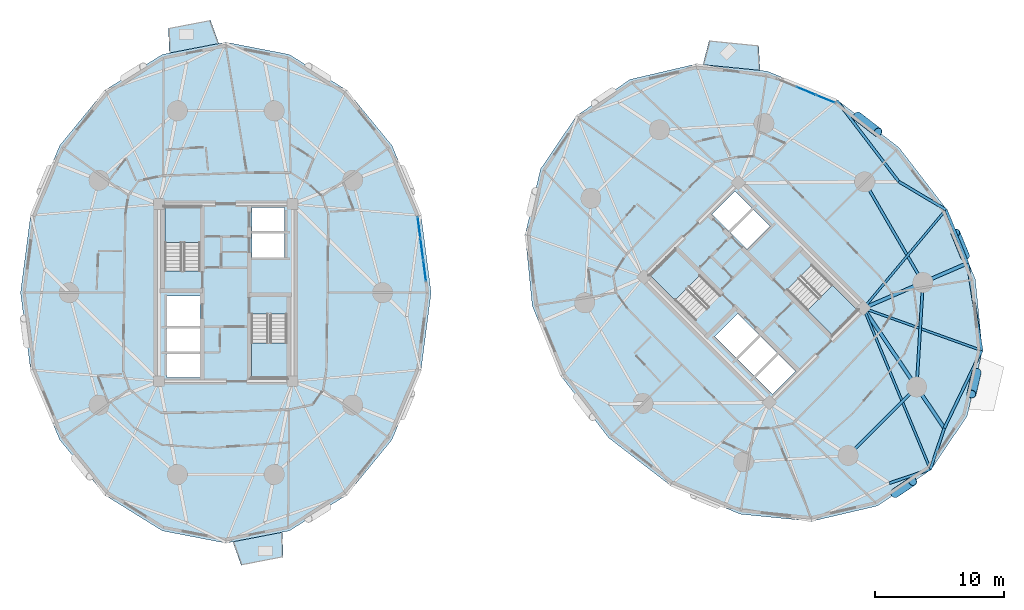
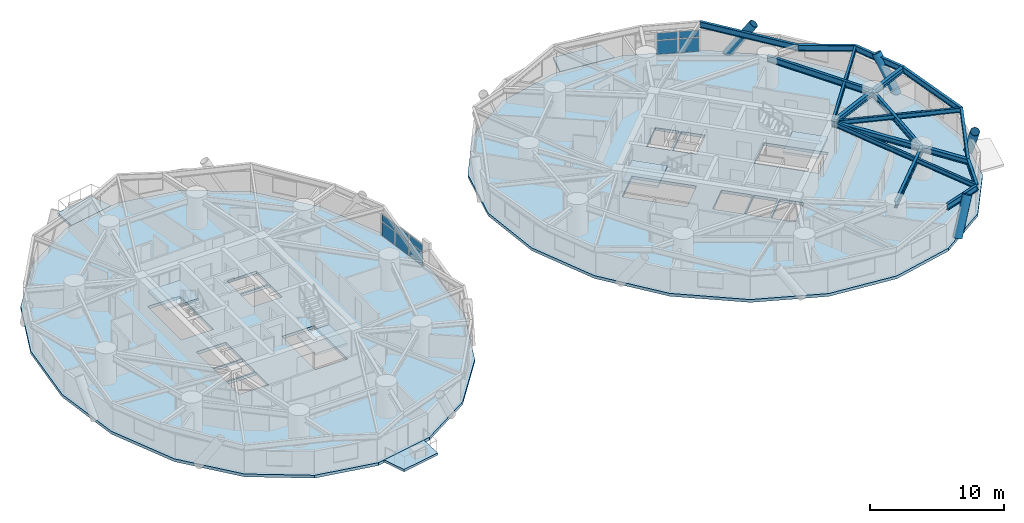
# One storey, part 7 of 18: 15 beams, 10 plates, 9 slabs, 4 members, 6 elements without a shape of their own.
"""IFC4 building model written with IfcOpenShell, lengths in metres."""

from ifc_helpers import new_model, si_unit, direction, frame, origin, origin_2d, place, context, subcontext, project, spatial, polyline, rectangle, hollow_circle, i_section, outline, extrude, source, transform, mapped, material, layer, layer_set, material_profile, profile_set, type_object, element, aggregate, save


model = new_model("IFC4")

# Units and contexts
model_context = context("Model", 3, precision=1e-05, world=origin(), true_north=direction((0.0, 1.0)))
body_context = subcontext(model_context, "Body", "Model", "MODEL_VIEW")
ifc_project = project(units=[si_unit("LENGTHUNIT", "METRE"), si_unit("AREAUNIT", "SQUARE_METRE"), si_unit("VOLUMEUNIT", "CUBIC_METRE"), si_unit("PLANEANGLEUNIT", "RADIAN"), si_unit("MASSUNIT", "GRAM", prefix="KILO")], contexts=[model_context])

# Site, building, storey
site_placement = place(None, origin())
site = spatial("IfcSite", under=ifc_project, at=site_placement, CompositionType="ELEMENT")
building_placement = place(site_placement, origin())
building = spatial("IfcBuilding", under=site, at=building_placement, Name="Cununo Teusaquillo Station Towers", CompositionType="ELEMENT")
storey_placement = place(building_placement, frame((0.0, 0.0, 51.10009765625)))
storey = spatial("IfcBuildingStorey", under=building, at=storey_placement, Name="L15", CompositionType="ELEMENT", Elevation=51.10009765625)

# Beams
ifc_material_1 = material(Name="Steel ASTM A572 Grade 50", Category="steel")
ifc_material_profile_1 = material_profile(ifc_material_1, i_section(OverallWidth=0.180908203125, OverallDepth=0.4169921875, WebThickness=0.010986328125, FlangeThickness=0.018310546875, FilletRadius=0.012939453125, at=origin_2d()), Name="W16X57")
ifc_profile_set_1 = profile_set([ifc_material_profile_1], Name="Steel ASTM A572 Grade 50")
beam_type_1 = type_object("IfcBeamType", Name="BM-JOIST-1", PredefinedType="JOIST", material=ifc_profile_set_1)
beam_1_placement = place(storey_placement, frame((66.024169921875, 23.29443359375, 2.44140625), z_axis=(0.383107724927, -0.923703670612, 0.0), x_axis=(0.923703670612, 0.383107724927, 0.0)))
element("IfcBeam", 1, at=beam_1_placement, inside=storey, type_object=beam_type_1, Name="L15 Tower B Radial Spandrel Joist V15", PredefinedType="JOIST", context=body_context, shape_type="SweptSolid", body=[
    extrude(i_section(OverallWidth=0.180908203125, OverallDepth=0.4169921875, WebThickness=0.010986328125, FlangeThickness=0.018310546875, FilletRadius=0.012939453125, at=origin_2d()), origin(), (0.0, 0.0, 1.0), 13.5380859375),
])
beam_2_placement = place(storey_placement, frame((66.024169921875, 23.29443359375, 2.44140625), z_axis=(0.941404588136, -0.337279411522, 0.0), x_axis=(0.337279411522, 0.941404588136, 0.0)))
element("IfcBeam", 2, at=beam_2_placement, inside=storey, type_object=beam_type_1, Name="L15 Tower B Radial Spandrel Joist V17", PredefinedType="JOIST", context=body_context, shape_type="SweptSolid", body=[
    extrude(i_section(OverallWidth=0.180908203125, OverallDepth=0.4169921875, WebThickness=0.010986328125, FlangeThickness=0.018310546875, FilletRadius=0.012939453125, at=origin_2d()), origin(), (0.0, 0.0, 1.0), 9.740234375),
])
beam_3_placement = place(storey_placement, frame((66.024169921875, 23.29443359375, 2.44140625), z_axis=(0.641315728701, 0.767277092139, 0.0), x_axis=(-0.767277092139, 0.641315728701, 0.0)))
element("IfcBeam", 3, at=beam_3_placement, inside=storey, type_object=beam_type_1, Name="L15 Tower B Radial Spandrel Joist V19", PredefinedType="JOIST", context=body_context, shape_type="SweptSolid", body=[
    extrude(i_section(OverallWidth=0.180908203125, OverallDepth=0.4169921875, WebThickness=0.010986328125, FlangeThickness=0.018310546875, FilletRadius=0.012939453125, at=origin_2d()), origin(), (0.0, 0.0, 1.0), 9.97021484375),
])
ifc_material_2 = material(Name="Steel ASTM A572 Grade 50", Category="steel")
ifc_material_profile_2 = material_profile(ifc_material_2, i_section(OverallWidth=0.280029296875, OverallDepth=0.462890625, WebThickness=0.0107421875, FlangeThickness=0.017333984375, FilletRadius=0.013916015625, at=origin_2d()), Name="W18X76")
ifc_profile_set_2 = profile_set([ifc_material_profile_2], Name="Steel ASTM A572 Grade 50")
beam_type_2 = type_object("IfcBeamType", Name="BM-RAD-G1", PredefinedType="BEAM", material=ifc_profile_set_2)
beam_4_placement = place(storey_placement, frame((66.024169921875, 23.29443359375, 2.41845703125), z_axis=(0.558572297481, -0.82945583878, 0.0), x_axis=(0.82945583878, 0.558572297481, 0.0)))
element("IfcBeam", 4, at=beam_4_placement, inside=storey, type_object=beam_type_2, Name="L15 Tower B Continuous Overhanging Radial Girder 09", PredefinedType="BEAM", context=body_context, shape_type="SweptSolid", body=[
    extrude(i_section(OverallWidth=0.280029296875, OverallDepth=0.462890625, WebThickness=0.0107421875, FlangeThickness=0.017333984375, FilletRadius=0.013916015625, at=origin_2d()), origin(), (0.0, 0.0, 1.0), 11.22998046875),
])
beam_5_placement = place(storey_placement, frame((66.024169921875, 23.29443359375, 2.41845703125), z_axis=(0.917660203996, 0.397366015157, 0.0), x_axis=(-0.397366015157, 0.917660203996, 0.0)))
element("IfcBeam", 5, at=beam_5_placement, inside=storey, type_object=beam_type_2, Name="L15 Tower B Continuous Overhanging Radial Girder 10", PredefinedType="BEAM", context=body_context, shape_type="SweptSolid", body=[
    extrude(i_section(OverallWidth=0.280029296875, OverallDepth=0.462890625, WebThickness=0.0107421875, FlangeThickness=0.017333984375, FilletRadius=0.013916015625, at=origin_2d()), origin(), (0.0, 0.0, 1.0), 8.798095703125),
])
ifc_material_3 = material(Name="Steel ASTM A572 Grade 50", Category="steel")
ifc_material_profile_3 = material_profile(ifc_material_3, i_section(OverallWidth=0.214111328125, OverallDepth=0.549072265625, WebThickness=0.0146484375, FlangeThickness=0.023681640625, FilletRadius=0.014892578125, at=origin_2d()), Name="W21X93")
ifc_profile_set_3 = profile_set([ifc_material_profile_3], Name="Steel ASTM A572 Grade 50")
beam_type_3 = type_object("IfcBeamType", Name="BM-RING-Z1", PredefinedType="SPANDREL", material=ifc_profile_set_3)
beam_6_placement = place(storey_placement, frame((64.826904296875, 11.853759765625, 2.37548828125), z_axis=(0.707106781187, 0.707106781187, 0.0), x_axis=(-0.707106781187, 0.707106781187, 0.0)))
element("IfcBeam", 6, at=beam_6_placement, inside=storey, type_object=beam_type_3, Name="L15 Tower B Structural Column Ring Girder 08", PredefinedType="SPANDREL", context=body_context, shape_type="SweptSolid", body=[
    extrude(i_section(OverallWidth=0.214111328125, OverallDepth=0.549072265625, WebThickness=0.0146484375, FlangeThickness=0.023681640625, FilletRadius=0.014892578125, at=origin_2d()), origin(), (0.0, 0.0, 1.0), 7.522705078125),
])
beam_7_placement = place(storey_placement, frame((70.146240234375, 17.173095703125, 2.37548828125), z_axis=(0.06012979176, 0.998190567048, 0.0), x_axis=(-0.998190567048, 0.06012979176, 0.0)))
element("IfcBeam", 7, at=beam_7_placement, inside=storey, type_object=beam_type_3, Name="L15 Tower B Structural Column Ring Girder 09", PredefinedType="SPANDREL", context=body_context, shape_type="SweptSolid", body=[
    extrude(i_section(OverallWidth=0.214111328125, OverallDepth=0.549072265625, WebThickness=0.0146484375, FlangeThickness=0.023681640625, FilletRadius=0.014892578125, at=origin_2d()), origin(), (0.0, 0.0, 1.0), 8.132568359375),
])
beam_8_placement = place(storey_placement, frame((70.63525390625, 25.291015625, 2.37548828125), z_axis=(-0.501311121078, 0.865267103202, 0.0), x_axis=(-0.865267103202, -0.501311121078, 0.0)))
element("IfcBeam", 8, at=beam_8_placement, inside=storey, type_object=beam_type_3, Name="L15 Tower B Structural Column Ring Girder 10", PredefinedType="SPANDREL", context=body_context, shape_type="SweptSolid", body=[
    extrude(i_section(OverallWidth=0.214111328125, OverallDepth=0.549072265625, WebThickness=0.0146484375, FlangeThickness=0.023681640625, FilletRadius=0.014892578125, at=origin_2d()), origin(), (0.0, 0.0, 1.0), 9.032958984375),
])
beam_9_placement = place(storey_placement, frame((68.7529296875, 33.12939453125, 2.37548828125), z_axis=(-0.607410042696, 0.794388469222, 0.0), x_axis=(-0.794388469222, -0.607410042696, 0.0)))
element("IfcBeam", 9, at=beam_9_placement, inside=storey, type_object=beam_type_3, Name="L15 Tower B Spandrel Ring Beam 01", PredefinedType="SPANDREL", context=body_context, shape_type="SweptSolid", body=[
    extrude(i_section(OverallWidth=0.214111328125, OverallDepth=0.549072265625, WebThickness=0.0146484375, FlangeThickness=0.023681640625, FilletRadius=0.014892578125, at=origin_2d()), origin(), (0.0, 0.0, 1.0), 7.91650390625),
])
for number, where, z_axis, x_axis, name in (
    (10, (68.020263671875, 9.703125, 2.37548828125), (0.946642852865, 0.322284515794, 0.0), (-0.322284515794, 0.946642852865, 0.0), "L15 Tower B Spandrel Ring Beam 15"),
    (11, (71.210693359375, 10.789306640625, 2.37548828125), (0.322284515794, 0.946642852865, 0.0), (-0.946642852865, 0.322284515794, 0.0), "L15 Tower B Spandrel Ring Beam 16"),
):
    element("IfcBeam", number, at=place(storey_placement, frame(where, z_axis=z_axis, x_axis=x_axis)), inside=storey, type_object=beam_type_3, Name=name, PredefinedType="SPANDREL", context=body_context, shape_type="SweptSolid", body=[
        extrude(i_section(OverallWidth=0.214111328125, OverallDepth=0.549072265625, WebThickness=0.0146484375, FlangeThickness=0.023681640625, FilletRadius=0.014892578125, at=origin_2d()), origin(), (0.0, 0.0, 1.0), 3.370361328125),
    ])
beam_10_placement = place(storey_placement, frame((72.296875, 13.979736328125, 2.37548828125), z_axis=(0.433040723491, 0.901374357189, 0.0), x_axis=(-0.901374357189, 0.433040723491, 0.0)))
element("IfcBeam", 12, at=beam_10_placement, inside=storey, type_object=beam_type_3, Name="L15 Tower B Spandrel Ring Beam 17", PredefinedType="SPANDREL", context=body_context, shape_type="SweptSolid", body=[
    extrude(i_section(OverallWidth=0.214111328125, OverallDepth=0.549072265625, WebThickness=0.0146484375, FlangeThickness=0.023681640625, FilletRadius=0.014892578125, at=origin_2d()), origin(), (0.0, 0.0, 1.0), 6.689208984375),
])
beam_11_placement = place(storey_placement, frame((75.193603515625, 20.00927734375, 2.37548828125), z_axis=(-0.15950955411, 0.987196384793, 0.0), x_axis=(-0.987196384793, -0.15950955411, 0.0)))
element("IfcBeam", 13, at=beam_11_placement, inside=storey, type_object=beam_type_3, Name="L15 Tower B Spandrel Ring Beam 18", PredefinedType="SPANDREL", context=body_context, shape_type="SweptSolid", body=[
    extrude(i_section(OverallWidth=0.214111328125, OverallDepth=0.549072265625, WebThickness=0.0146484375, FlangeThickness=0.023681640625, FilletRadius=0.014892578125, at=origin_2d()), origin(), (0.0, 0.0, 1.0), 6.869140625),
])
beam_12_placement = place(storey_placement, frame((74.097900390625, 26.79052734375, 2.37548828125), z_axis=(-0.374882843411, 0.927072194447, 0.0), x_axis=(-0.927072194447, -0.374882843411, 0.0)))
element("IfcBeam", 14, at=beam_12_placement, inside=storey, type_object=beam_type_3, Name="L15 Tower B Spandrel Ring Beam 19", PredefinedType="SPANDREL", context=body_context, shape_type="SweptSolid", body=[
    extrude(i_section(OverallWidth=0.214111328125, OverallDepth=0.549072265625, WebThickness=0.0146484375, FlangeThickness=0.023681640625, FilletRadius=0.014892578125, at=origin_2d()), origin(), (0.0, 0.0, 1.0), 4.48046875),
])
beam_13_placement = place(storey_placement, frame((72.418212890625, 30.9443359375, 2.37548828125), z_axis=(-0.858948426011, 0.512062107027, 0.0), x_axis=(-0.512062107027, -0.858948426011, 0.0)))
element("IfcBeam", 15, at=beam_13_placement, inside=storey, type_object=beam_type_3, Name="L15 Tower B Spandrel Ring Beam 20", PredefinedType="SPANDREL", context=body_context, shape_type="SweptSolid", body=[
    extrude(i_section(OverallWidth=0.214111328125, OverallDepth=0.549072265625, WebThickness=0.0146484375, FlangeThickness=0.023681640625, FilletRadius=0.014892578125, at=origin_2d()), origin(), (0.0, 0.0, 1.0), 4.26708984375),
])

# Members
ifc_material_4 = material(Name="Steel EN 10025-2 S355J2", Category="steel")
ifc_material_profile_4 = material_profile(ifc_material_4, hollow_circle(Radius=0.360107421875, WallThickness=0.028076171875, at=origin_2d()), Name="CHS 720x28")
ifc_profile_set_4 = profile_set([ifc_material_profile_4], Name="Steel EN 10025-2 S355J2")
member_type = type_object("IfcMemberType", Name="MBR-DIAG-Z1", PredefinedType="BRACE", material=ifc_profile_set_4)
member_1_placement = place(storey_placement, frame((65.539794921875, 38.189208984375, -0.14013671875), z_axis=(0.450858430672, -0.347318267814, 0.822250993514), x_axis=(0.610267072118, 0.792195746447, 0.0)))
element("IfcMember", 16, at=member_1_placement, inside=storey, type_object=member_type, Name="L15 Tower B Folded-Zigzag Diagrid Tube C00", PredefinedType="BRACE", context=body_context, shape_type="SweptSolid", body=[
    extrude(hollow_circle(Radius=0.360107421875, WallThickness=0.028076171875, at=origin_2d()), origin(), (0.0, 0.0, 1.0), 3.539306640625),
])
member_2_placement = place(storey_placement, frame((68.44970703125, 8.9228515625, -0.14013671875), z_axis=(0.411696908958, 0.278250324675, 0.867803210395), x_axis=(-0.559963432154, 0.828517323084, 0.0)))
element("IfcMember", 17, at=member_2_placement, inside=storey, type_object=member_type, Name="L15 Tower B Folded-Zigzag Diagrid Tube C14", PredefinedType="BRACE", context=body_context, shape_type="SweptSolid", body=[
    extrude(hollow_circle(Radius=0.360107421875, WallThickness=0.028076171875, at=origin_2d()), origin(), (0.0, 0.0, 1.0), 3.353515625),
])
member_3_placement = place(storey_placement, frame((74.79931640625, 18.31640625, -0.14013671875), z_axis=(-0.116389119441, -0.499407273641, 0.858513801817), x_axis=(0.97390126413, -0.226972085785, 0.0)))
element("IfcMember", 18, at=member_3_placement, inside=storey, type_object=member_type, Name="L15 Tower B Folded-Zigzag Diagrid Tube C16", PredefinedType="BRACE", context=body_context, shape_type="SweptSolid", body=[
    extrude(hollow_circle(Radius=0.360107421875, WallThickness=0.028076171875, at=origin_2d()), origin(), (0.0, 0.0, 1.0), 3.3896484375),
])
member_4_placement = place(storey_placement, frame((73.90283203125, 27.332763671875, -0.14013671875), z_axis=(-0.211850960521, 0.515311264378, 0.830405606515), x_axis=(-0.924890293694, -0.380234065584, 0.0)))
element("IfcMember", 19, at=member_4_placement, inside=storey, type_object=member_type, Name="L15 Tower B Folded-Zigzag Diagrid Tube C18", PredefinedType="BRACE", context=body_context, shape_type="SweptSolid", body=[
    extrude(hollow_circle(Radius=0.360107421875, WallThickness=0.028076171875, at=origin_2d()), origin(), (0.0, 0.0, 1.0), 3.50439453125),
])

# Slabs
ifc_material_5 = material(Name="Concrete C50/60", Category="concrete")
ifc_layer_1 = layer(ifc_material_5, 0.2099609375)
ifc_layer_set_1 = layer_set([ifc_layer_1], Name="Concrete C50/60")
slab_type_1 = type_object("IfcSlabType", Name="SLB-BAL-210", PredefinedType="FLOOR", material=ifc_layer_set_1)
slab_1_placement = place(storey_placement, frame((0.0, 0.0, -0.210205078125)))
element("IfcSlab", 20, at=slab_1_placement, inside=storey, type_object=slab_type_1, Name="L15 Tower A Tree Balcony Slab 1", PredefinedType="FLOOR", context=body_context, shape_type="SweptSolid", body=[
    extrude(outline(polyline([(15.958984375, 43.8505859375), (12.1123046875, 43.107421875), (12.043701171875, 45.04443359375), (15.30126953125, 45.673828125), (15.958984375, 43.8505859375)])), origin(), (0.0, 0.0, 1.0), 0.210205078125),
])
slab_2_placement = place(storey_placement, frame((0.0, 0.0, -0.210205078125)))
element("IfcSlab", 21, at=slab_2_placement, inside=storey, type_object=slab_type_1, Name="L15 Tower A Tree Balcony Slab 2", PredefinedType="FLOOR", context=body_context, shape_type="SweptSolid", body=[
    extrude(outline(polyline([(17.041015625, 5.1494140625), (20.8876953125, 5.892578125), (20.956298828125, 3.95556640625), (17.69873046875, 3.326171875), (17.041015625, 5.1494140625)])), origin(), (0.0, 0.0, 1.0), 0.210205078125),
])
slab_3_placement = place(storey_placement, frame((0.0, 0.0, -0.210205078125)))
element("IfcSlab", 22, at=slab_3_placement, inside=storey, type_object=slab_type_1, Name="L15 Tower B Tree Balcony Slab 1", PredefinedType="FLOOR", context=body_context, shape_type="SweptSolid", body=[
    extrude(outline(polyline([(57.98974609375, 41.763427734375), (53.547607421875, 42.20361328125), (54.034912109375, 44.079833984375), (57.8798828125, 43.69873046875), (57.98974609375, 41.763427734375)])), origin(), (0.0, 0.0, 1.0), 0.210205078125),
])

# Stair, slab
ifc_material_6 = material(Name="Concrete C50/60", Category="concrete")
stair_type = type_object("IfcStairType", Name="ST-TWR-1300", PredefinedType="HALF_TURN_STAIR", material=ifc_material_6)
stair_1_placement = place(storey_placement, origin())
stair_1 = element("IfcStair", 23, at=stair_1_placement, inside=storey, type_object=stair_type, Name="L15 Tower A Protected Core Exit Stair 1", PredefinedType="HALF_TURN_STAIR")
ifc_material_7 = material(Name="Concrete C50/60", Category="concrete")
ifc_layer_2 = layer(ifc_material_7, 0.199951171875)
ifc_layer_set_2 = layer_set([ifc_layer_2], Name="Concrete C50/60")
slab_type_2 = type_object("IfcSlabType", Name="SLB-STAIR-LND", PredefinedType="LANDING", material=ifc_layer_set_2)
slab_4_placement = place(storey_placement, frame((0.0, 0.0, 1.2548828125)))
slab_4 = element("IfcSlab", 24, at=slab_4_placement, type_object=slab_type_2, Name="ST-T1-1 landing 1", PredefinedType="LANDING", context=body_context, shape_type="SweptSolid", body=[
    extrude(outline(polyline([(14.52001953125, 28.409912109375), (14.52001953125, 31.159912109375), (11.760009765625, 31.159912109375), (11.760009765625, 28.409912109375), (14.52001953125, 28.409912109375)])), origin(), (0.0, 0.0, 1.0), 0.199951171875),
])
aggregate(stair_1, [slab_4])

stair_2_placement = place(storey_placement, origin())
stair_2 = element("IfcStair", 25, at=stair_2_placement, inside=storey, type_object=stair_type, Name="L15 Tower A Protected Core Exit Stair 2", PredefinedType="HALF_TURN_STAIR")
slab_5_placement = place(storey_placement, frame((0.0, 0.0, 1.2548828125)))
slab_5 = element("IfcSlab", 26, at=slab_5_placement, type_object=slab_type_2, Name="ST-T1-2 landing 1", PredefinedType="LANDING", context=body_context, shape_type="SweptSolid", body=[
    extrude(outline(polyline([(18.47998046875, 20.590087890625), (18.47998046875, 17.840087890625), (21.239990234375, 17.840087890625), (21.239990234375, 20.590087890625), (18.47998046875, 20.590087890625)])), origin(), (0.0, 0.0, 1.0), 0.199951171875),
])
aggregate(stair_2, [slab_5])

stair_3_placement = place(storey_placement, origin())
stair_3 = element("IfcStair", 27, at=stair_3_placement, inside=storey, type_object=stair_type, Name="L15 Tower B Protected Core Exit Stair 1", PredefinedType="HALF_TURN_STAIR")
slab_6_placement = place(storey_placement, frame((0.0, 0.0, 1.2548828125)))
slab_6 = element("IfcSlab", 28, at=slab_6_placement, type_object=slab_type_2, Name="ST-T2-1 landing 1", PredefinedType="LANDING", context=body_context, shape_type="SweptSolid", body=[
    extrude(outline(polyline([(53.335205078125, 25.86474609375), (51.390625, 27.809326171875), (49.43896484375, 25.857666015625), (51.383544921875, 23.9130859375), (53.335205078125, 25.86474609375)])), origin(), (0.0, 0.0, 1.0), 0.199951171875),
])
aggregate(stair_3, [slab_6])

stair_4_placement = place(storey_placement, origin())
stair_4 = element("IfcStair", 29, at=stair_4_placement, inside=storey, type_object=stair_type, Name="L15 Tower B Protected Core Exit Stair 2", PredefinedType="HALF_TURN_STAIR")
slab_7_placement = place(storey_placement, frame((0.0, 0.0, 1.2548828125)))
slab_7 = element("IfcSlab", 30, at=slab_7_placement, type_object=slab_type_2, Name="ST-T2-2 landing 1", PredefinedType="LANDING", context=body_context, shape_type="SweptSolid", body=[
    extrude(outline(polyline([(61.664794921875, 23.13525390625), (63.609375, 21.190673828125), (65.56103515625, 23.142333984375), (63.616455078125, 25.0869140625), (61.664794921875, 23.13525390625)])), origin(), (0.0, 0.0, 1.0), 0.199951171875),
])
aggregate(stair_4, [slab_7])

# Slabs
ifc_material_8 = material(Name="Concrete C50/60", Category="concrete")
ifc_layer_3 = layer(ifc_material_8, 0.260009765625)
ifc_layer_set_3 = layer_set([ifc_layer_3], Name="Concrete C50/60")
slab_type_3 = type_object("IfcSlabType", Name="SLB-Z1-260", PredefinedType="FLOOR", material=ifc_layer_set_3)
slab_8_placement = place(storey_placement, frame((0.0, 0.0, -0.260009765625)))
element("IfcSlab", 31, at=slab_8_placement, inside=storey, type_object=slab_type_3, Name="L15 Tower A Floor Slab", PredefinedType="FLOOR", context=body_context, shape_type="SweptSolid", body=[
    extrude(outline(polyline([(32.443115234375, 24.5), (31.66259765625, 30.510498046875), (29.398193359375, 35.932373046875), (25.87109375, 40.2353515625), (21.4267578125, 42.998046875), (16.5, 43.949951171875), (11.5732421875, 42.998046875), (7.12890625, 40.2353515625), (3.601806640625, 35.932373046875), (1.33740234375, 30.510498046875), (0.556884765625, 24.5), (1.33740234375, 18.489501953125), (3.601806640625, 13.067626953125), (7.12890625, 8.7646484375), (11.5732421875, 6.001953125), (16.5, 5.050048828125), (21.4267578125, 6.001953125), (25.87109375, 8.7646484375), (29.398193359375, 13.067626953125), (31.66259765625, 18.489501953125), (32.443115234375, 24.5)]), holes=[polyline([(14.52001953125, 26.176025390625), (14.52001953125, 31.159912109375), (11.760009765625, 31.159912109375), (11.760009765625, 26.176025390625), (14.52001953125, 26.176025390625)]), polyline([(18.47998046875, 22.823974609375), (18.47998046875, 17.840087890625), (21.239990234375, 17.840087890625), (21.239990234375, 22.823974609375), (18.47998046875, 22.823974609375)]), polyline([(11.949951171875, 21.85009765625), (14.47998046875, 21.85009765625), (14.47998046875, 24.25), (11.949951171875, 24.25), (11.949951171875, 21.85009765625)]), polyline([(11.949951171875, 17.89990234375), (14.47998046875, 17.89990234375), (14.47998046875, 19.75), (11.949951171875, 19.75), (11.949951171875, 17.89990234375)]), polyline([(11.949951171875, 19.89990234375), (14.47998046875, 19.89990234375), (14.47998046875, 21.75), (11.949951171875, 21.75), (11.949951171875, 19.89990234375)]), polyline([(18.52001953125, 27.25), (21.050048828125, 27.25), (21.050048828125, 29.10009765625), (18.52001953125, 29.10009765625), (18.52001953125, 27.25)]), polyline([(18.52001953125, 29.25), (21.050048828125, 29.25), (21.050048828125, 31.10009765625), (18.52001953125, 31.10009765625), (18.52001953125, 29.25)])]), origin(), (0.0, 0.0, 1.0), 0.260009765625),
])
slab_9_placement = place(storey_placement, frame((0.0, 0.0, -0.260009765625)))
element("IfcSlab", 32, at=slab_9_placement, inside=storey, type_object=slab_type_3, Name="L15 Tower B Floor Slab", PredefinedType="FLOOR", context=body_context, shape_type="SweptSolid", body=[
    extrude(outline(polyline([(68.7734375, 35.7734375), (63.9716796875, 39.4716796875), (58.53662109375, 41.704345703125), (52.999755859375, 42.2529296875), (47.903564453125, 41.063720703125), (43.746826171875, 38.253173828125), (40.936279296875, 34.096435546875), (39.7470703125, 29.000244140625), (40.295654296875, 23.46337890625), (42.5283203125, 18.0283203125), (46.2265625, 13.2265625), (51.0283203125, 9.5283203125), (56.46337890625, 7.295654296875), (62.000244140625, 6.7470703125), (67.096435546875, 7.936279296875), (71.253173828125, 10.746826171875), (74.063720703125, 14.903564453125), (75.2529296875, 19.999755859375), (74.704345703125, 25.53662109375), (72.4716796875, 30.9716796875), (68.7734375, 35.7734375)]), holes=[polyline([(54.914794921875, 24.28515625), (51.390625, 27.809326171875), (49.43896484375, 25.857666015625), (52.963134765625, 22.33349609375), (54.914794921875, 24.28515625)]), polyline([(60.085205078125, 24.71484375), (63.609375, 21.190673828125), (65.56103515625, 23.142333984375), (62.036865234375, 26.66650390625), (60.085205078125, 24.71484375)]), polyline([(56.156494140625, 19.40869140625), (57.945556640625, 21.19775390625), (56.248291015625, 22.89501953125), (54.45947265625, 21.10595703125), (56.156494140625, 19.40869140625)]), polyline([(58.94970703125, 16.61572265625), (60.738525390625, 18.40478515625), (59.430419921875, 19.712890625), (57.641357421875, 17.923828125), (58.94970703125, 16.61572265625)]), polyline([(57.535400390625, 18.030029296875), (59.32421875, 19.819091796875), (58.01611328125, 21.127197265625), (56.227294921875, 19.338134765625), (57.535400390625, 18.030029296875)]), polyline([(56.98388671875, 27.872802734375), (58.772705078125, 29.661865234375), (57.464599609375, 30.969970703125), (55.67578125, 29.180908203125), (56.98388671875, 27.872802734375)]), polyline([(55.569580078125, 29.287109375), (57.358642578125, 31.076171875), (56.05029296875, 32.38427734375), (54.261474609375, 30.59521484375), (55.569580078125, 29.287109375)])]), origin(), (0.0, 0.0, 1.0), 0.260009765625),
])

# Curtain wall, plates
ifc_material_9 = material(Name="Operable acoustic tinted low-E double glazing", Category="glass")
ifc_layer_4 = layer(ifc_material_9, 0.179931640625)
ifc_layer_set_4 = layer_set([ifc_layer_4], Name="Operable acoustic tinted low-E double glazing")
curtain_wall_type = type_object("IfcCurtainWallType", Name="CW-SYS-03", PredefinedType="USERDEFINED", material=ifc_layer_set_4)
curtain_wall_1_placement = place(storey_placement, origin())
curtain_wall_1 = element("IfcCurtainWall", 33, at=curtain_wall_1_placement, inside=storey, type_object=curtain_wall_type, Name="L15 Tower A Facade Curtain Wall C00", ObjectType="OPERABLE GLAZING", PredefinedType="USERDEFINED")
ifc_material_10 = material(Name="Operable acoustic tinted low-E double glazing", Category="glass")
ifc_layer_5 = layer(ifc_material_10, 0.031982421875)
ifc_layer_set_5 = layer_set([ifc_layer_5], Name="Operable acoustic tinted low-E double glazing")
plate_type = type_object("IfcPlateType", Name="CWP-OPER-32", PredefinedType="CURTAIN_PANEL", material=ifc_layer_set_5)
shared_shape_1 = source(origin(), body_context, "Body", "SweptSolid", [
    extrude(rectangle(XDim=1.602783203125, YDim=0.031982421875, at=origin_2d()), origin(), (0.0, 0.0, 1.0), 1.241943359375),
])
plate_1_placement = place(storey_placement, frame((31.50830078125, 29.559814453125, 0.06982421875), z_axis=(0.0, 0.0, 1.0), x_axis=(0.128336112783, -0.99173073067, 0.0)))
plate_1 = element("IfcPlate", 34, at=plate_1_placement, type_object=plate_type, Name="CW-03 panel 1.1", PredefinedType="CURTAIN_PANEL", context=body_context, shape_type="MappedRepresentation", body=[
    mapped(shared_shape_1, transform((0.0, 0.0, 0.0), x_axis=(1.0, 0.0, 0.0), y_axis=(0.0, 1.0, 0.0), z_axis=(0.0, 0.0, 1.0), scale=1.0)),
])
plate_2_placement = place(storey_placement, frame((31.942138671875, 26.207275390625, 0.06982421875), z_axis=(0.0, 0.0, 1.0), x_axis=(0.128336112783, -0.99173073067, 0.0)))
plate_2 = element("IfcPlate", 35, at=plate_2_placement, type_object=plate_type, Name="CW-03 panel 3.1", PredefinedType="CURTAIN_PANEL", context=body_context, shape_type="MappedRepresentation", body=[
    mapped(shared_shape_1, transform((0.0, 0.0, 0.0), x_axis=(1.0, 0.0, 0.0), y_axis=(0.0, 1.0, 0.0), z_axis=(0.0, 0.0, 1.0), scale=1.0)),
])
shared_shape_2 = source(origin(), body_context, "Body", "SweptSolid", [
    extrude(rectangle(XDim=1.602783203125, YDim=0.031982421875, at=origin_2d()), origin(), (0.0, 0.0, 1.0), 0.62109375),
])
plate_3_placement = place(storey_placement, frame((31.50830078125, 29.559814453125, 1.3818359375), z_axis=(0.0, 0.0, 1.0), x_axis=(0.128336112783, -0.99173073067, 0.0)))
plate_3 = element("IfcPlate", 36, at=plate_3_placement, type_object=plate_type, Name="CW-03 panel 1.2", PredefinedType="CURTAIN_PANEL", context=body_context, shape_type="MappedRepresentation", body=[
    mapped(shared_shape_2, transform((0.0, 0.0, 0.0), x_axis=(1.0, 0.0, 0.0), y_axis=(0.0, 1.0, 0.0), z_axis=(0.0, 0.0, 1.0), scale=1.0)),
])
plate_4_placement = place(storey_placement, frame((31.942138671875, 26.207275390625, 1.3818359375), z_axis=(0.0, 0.0, 1.0), x_axis=(0.128336112783, -0.99173073067, 0.0)))
plate_4 = element("IfcPlate", 37, at=plate_4_placement, type_object=plate_type, Name="CW-03 panel 3.2", PredefinedType="CURTAIN_PANEL", context=body_context, shape_type="MappedRepresentation", body=[
    mapped(shared_shape_2, transform((0.0, 0.0, 0.0), x_axis=(1.0, 0.0, 0.0), y_axis=(0.0, 1.0, 0.0), z_axis=(0.0, 0.0, 1.0), scale=1.0)),
])
shared_shape_3 = source(origin(), body_context, "Body", "SweptSolid", [
    extrude(rectangle(XDim=1.6376953125, YDim=0.031982421875, at=origin_2d()), origin(), (0.0, 0.0, 1.0), 1.241943359375),
])
plate_5_placement = place(storey_placement, frame((31.72509765625, 27.883544921875, 0.06982421875), z_axis=(0.0, 0.0, 1.0), x_axis=(0.128336112783, -0.99173073067, 0.0)))
plate_5 = element("IfcPlate", 38, at=plate_5_placement, type_object=plate_type, Name="CW-03 panel 2.1", PredefinedType="CURTAIN_PANEL", context=body_context, shape_type="MappedRepresentation", body=[
    mapped(shared_shape_3, transform((0.0, 0.0, 0.0), x_axis=(1.0, 0.0, 0.0), y_axis=(0.0, 1.0, 0.0), z_axis=(0.0, 0.0, 1.0), scale=1.0)),
])
shared_shape_4 = source(origin(), body_context, "Body", "SweptSolid", [
    extrude(rectangle(XDim=1.6376953125, YDim=0.031982421875, at=origin_2d()), origin(), (0.0, 0.0, 1.0), 0.62109375),
])
plate_6_placement = place(storey_placement, frame((31.72509765625, 27.883544921875, 1.3818359375), z_axis=(0.0, 0.0, 1.0), x_axis=(0.128336112783, -0.99173073067, 0.0)))
plate_6 = element("IfcPlate", 39, at=plate_6_placement, type_object=plate_type, Name="CW-03 panel 2.2", PredefinedType="CURTAIN_PANEL", context=body_context, shape_type="MappedRepresentation", body=[
    mapped(shared_shape_4, transform((0.0, 0.0, 0.0), x_axis=(1.0, 0.0, 0.0), y_axis=(0.0, 1.0, 0.0), z_axis=(0.0, 0.0, 1.0), scale=1.0)),
])
aggregate(curtain_wall_1, [plate_1, plate_3, plate_5, plate_6, plate_2, plate_4])

curtain_wall_2_placement = place(storey_placement, origin())
curtain_wall_2 = element("IfcCurtainWall", 40, at=curtain_wall_2_placement, inside=storey, type_object=curtain_wall_type, Name="L15 Tower B Facade Curtain Wall C01", ObjectType="OPERABLE GLAZING", PredefinedType="USERDEFINED")
shared_shape_5 = source(origin(), body_context, "Body", "SweptSolid", [
    extrude(rectangle(XDim=1.541259765625, YDim=0.031982421875, at=origin_2d()), origin(), (0.0, 0.0, 1.0), 1.241943359375),
])
plate_7_placement = place(storey_placement, frame((63.0673828125, 39.54248046875, 0.06982421875), z_axis=(0.0, 0.0, 1.0), x_axis=(0.924572384299, -0.381006438517, 0.0)))
plate_7 = element("IfcPlate", 41, at=plate_7_placement, type_object=plate_type, Name="CW-03 panel 3.1", PredefinedType="CURTAIN_PANEL", context=body_context, shape_type="MappedRepresentation", body=[
    mapped(shared_shape_5, transform((0.0, 0.0, 0.0), x_axis=(1.0, 0.0, 0.0), y_axis=(0.0, 1.0, 0.0), z_axis=(0.0, 0.0, 1.0), scale=1.0)),
])
shared_shape_6 = source(origin(), body_context, "Body", "SweptSolid", [
    extrude(rectangle(XDim=1.541259765625, YDim=0.031982421875, at=origin_2d()), origin(), (0.0, 0.0, 1.0), 0.62109375),
])
plate_8_placement = place(storey_placement, frame((63.0673828125, 39.54248046875, 1.3818359375), z_axis=(0.0, 0.0, 1.0), x_axis=(0.924572384299, -0.381006438517, 0.0)))
plate_8 = element("IfcPlate", 42, at=plate_8_placement, type_object=plate_type, Name="CW-03 panel 3.2", PredefinedType="CURTAIN_PANEL", context=body_context, shape_type="MappedRepresentation", body=[
    mapped(shared_shape_6, transform((0.0, 0.0, 0.0), x_axis=(1.0, 0.0, 0.0), y_axis=(0.0, 1.0, 0.0), z_axis=(0.0, 0.0, 1.0), scale=1.0)),
])
shared_shape_7 = source(origin(), body_context, "Body", "SweptSolid", [
    extrude(rectangle(XDim=1.576171875, YDim=0.031982421875, at=origin_2d()), origin(), (0.0, 0.0, 1.0), 1.241943359375),
])
plate_9_placement = place(storey_placement, frame((61.5615234375, 40.1630859375, 0.06982421875), z_axis=(0.0, 0.0, 1.0), x_axis=(0.924572384299, -0.381006438517, 0.0)))
plate_9 = element("IfcPlate", 43, at=plate_9_placement, type_object=plate_type, Name="CW-03 panel 2.1", PredefinedType="CURTAIN_PANEL", context=body_context, shape_type="MappedRepresentation", body=[
    mapped(shared_shape_7, transform((0.0, 0.0, 0.0), x_axis=(1.0, 0.0, 0.0), y_axis=(0.0, 1.0, 0.0), z_axis=(0.0, 0.0, 1.0), scale=1.0)),
])
shared_shape_8 = source(origin(), body_context, "Body", "SweptSolid", [
    extrude(rectangle(XDim=1.576171875, YDim=0.031982421875, at=origin_2d()), origin(), (0.0, 0.0, 1.0), 0.62109375),
])
plate_10_placement = place(storey_placement, frame((61.5615234375, 40.1630859375, 1.3818359375), z_axis=(0.0, 0.0, 1.0), x_axis=(0.924572384299, -0.381006438517, 0.0)))
plate_10 = element("IfcPlate", 44, at=plate_10_placement, type_object=plate_type, Name="CW-03 panel 2.2", PredefinedType="CURTAIN_PANEL", context=body_context, shape_type="MappedRepresentation", body=[
    mapped(shared_shape_8, transform((0.0, 0.0, 0.0), x_axis=(1.0, 0.0, 0.0), y_axis=(0.0, 1.0, 0.0), z_axis=(0.0, 0.0, 1.0), scale=1.0)),
])
aggregate(curtain_wall_2, [plate_9, plate_10, plate_7, plate_8])

save(model, "model.ifc")
